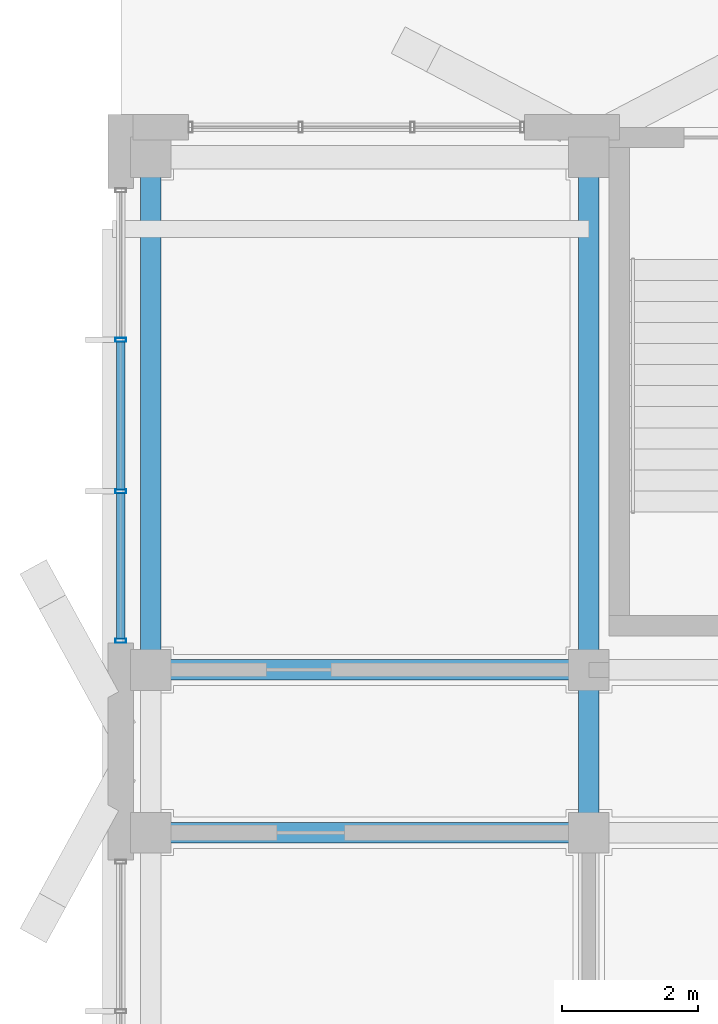
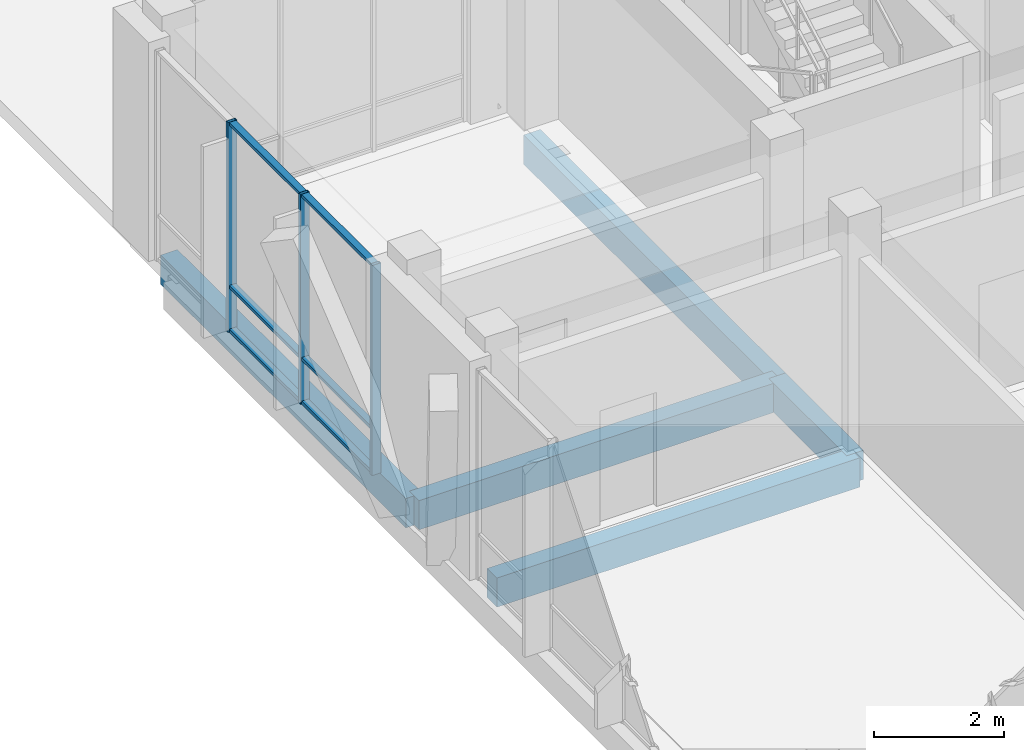
# One storey, part 22 of 233: 9 members, 5 beams, 1 element without a shape of its own.
"""IFC4 building model written with IfcOpenShell, lengths in metres."""

import ifcopenshell
import ifcopenshell.guid

model = None  # the IFC model being written
_history = None  # IfcOwnerHistory: only IFC2X3 demands one
_inside = {}  # id of a spatial element -> (the spatial element, [elements in it])
_under = {}  # id of a project, library or spatial element -> (it, [spatial elements below it])
_declared = {}  # id of a project -> (the project, [libraries it declares])
_typed = {}  # id of a type object -> (the type object, [elements of that type])
_made_of = {}  # id of a material, layer set ... -> (it, [elements and type objects made of it])


def new_model(schema):
    """Start an empty IFC model of exactly this schema.

    Asked for "IFC4X3", IfcOpenShell would pick the latest addendum, in which some entities
    have other attributes; the version numbers below select the first issue.
    IFC2X3 requires an IfcOwnerHistory on every rooted entity: one is made here for all.
    """
    global model, _history
    if schema == "IFC4X3":
        model = ifcopenshell.file(schema_version=(4, 3, 0, 0))
    else:
        model = ifcopenshell.file(schema=schema)
    _inside.clear()
    _under.clear()
    _declared.clear()
    _typed.clear()
    _made_of.clear()
    _history = None
    if model.schema == "IFC2X3":
        org = make("IfcOrganization", Name="unknown")
        user = make(
            "IfcPersonAndOrganization",
            ThePerson=make("IfcPerson", FamilyName="unknown"),
            TheOrganization=org,
        )
        app = make(
            "IfcApplication",
            ApplicationDeveloper=org,
            Version="unknown",
            ApplicationFullName="unknown",
            ApplicationIdentifier="unknown",
        )
        _history = make(
            "IfcOwnerHistory",
            OwningUser=user,
            OwningApplication=app,
            ChangeAction="ADDED",
            CreationDate=0,
        )
    return model


def make(cls, **values):
    """One entity of the class cls with the attributes given. An attribute that is None is left unset."""
    return model.create_entity(
        cls, **{name: value for name, value in values.items() if value is not None}
    )


def rooted(cls, **values):
    """An entity with a GlobalId (a new one), such as an element, a storey or a relation."""
    return make(cls, GlobalId=ifcopenshell.guid.new(), OwnerHistory=_history, **values)


def si_unit(unit_type, name, prefix=None):
    """IfcSIUnit, for example si_unit("LENGTHUNIT", "METRE", prefix="MILLI")."""
    return make("IfcSIUnit", UnitType=unit_type, Prefix=prefix, Name=name)


def assignment(units):
    """IfcUnitAssignment: the units of a project."""
    return None if units is None else make("IfcUnitAssignment", Units=units)


def point(xyz):
    """IfcCartesianPoint."""
    return None if xyz is None else make("IfcCartesianPoint", Coordinates=xyz)


def direction(xyz):
    """IfcDirection."""
    return None if xyz is None else make("IfcDirection", DirectionRatios=xyz)


def frame(location, z_axis=None, x_axis=None):
    """IfcAxis2Placement3D, a coordinate frame: its origin and axes. An axis left out is left unset."""
    return make(
        "IfcAxis2Placement3D",
        Location=point(location),
        Axis=direction(z_axis),
        RefDirection=direction(x_axis),
    )


def frame_2d(location, x_axis=None):
    """IfcAxis2Placement2D, a coordinate frame in the plane: its origin and x axis."""
    return make(
        "IfcAxis2Placement2D", Location=point(location), RefDirection=direction(x_axis)
    )


def origin():
    """The frame at (0, 0, 0) with its axes left unset."""
    return frame((0.0, 0.0, 0.0))


def origin_2d():
    """The frame at (0, 0) in the plane with its x axis left unset."""
    return frame_2d((0.0, 0.0))


def place(relative_to, where):
    """IfcLocalPlacement: puts the frame where relative to a parent placement (None: the world)."""
    return make(
        "IfcLocalPlacement", PlacementRelTo=relative_to, RelativePlacement=where
    )


def context(
    kind, dimensions, precision=None, world=None, true_north=None, identifier=None
):
    """IfcGeometricRepresentationContext, for example the 3D "Model" context."""
    return make(
        "IfcGeometricRepresentationContext",
        ContextIdentifier=identifier,
        ContextType=kind,
        CoordinateSpaceDimension=dimensions,
        Precision=precision,
        WorldCoordinateSystem=world,
        TrueNorth=true_north,
    )


def subcontext(parent, identifier, kind, view, scale=None):
    """IfcGeometricRepresentationSubContext, for example "Body" below "Model"."""
    return make(
        "IfcGeometricRepresentationSubContext",
        ContextIdentifier=identifier,
        ContextType=kind,
        ParentContext=parent,
        TargetScale=scale,
        TargetView=view,
    )


def project(units=None, contexts=None):
    """IfcProject with its units and contexts."""
    return rooted(
        "IfcProject",
        Name="project",
        RepresentationContexts=contexts,
        UnitsInContext=assignment(units),
    )


def spatial(cls, under=None, at=None, **own):
    """A site, building, storey or space (cls), placed at a placement, below another one or the project."""
    s = rooted(cls, ObjectPlacement=at, **own)
    if under is not None:
        _under.setdefault(under.id(), (under, []))[1].append(s)
    return s


def profile(cls, at=None, kind="AREA", **sizes):
    """A parametric profile (cls). Its sizes go by their IFC names, for example OverallWidth=200.0."""
    return make(cls, ProfileType=kind, Position=at, **sizes)


def rectangle(**sizes):
    """IfcRectangleProfileDef."""
    return profile("IfcRectangleProfileDef", **sizes)


def hollow_rectangle(**sizes):
    """IfcRectangleHollowProfileDef."""
    return profile("IfcRectangleHollowProfileDef", **sizes)


def extrude(swept, where, along, depth):
    """IfcExtrudedAreaSolid: the profile swept, set in the frame where, extruded along a direction by depth."""
    return make(
        "IfcExtrudedAreaSolid",
        SweptArea=swept,
        Position=where,
        ExtrudedDirection=direction(along),
        Depth=depth,
    )


def shape(context_of_items, identifier, shape_type, items):
    """IfcShapeRepresentation: the items that make up one representation, for example the "Body"."""
    return make(
        "IfcShapeRepresentation",
        ContextOfItems=context_of_items,
        RepresentationIdentifier=identifier,
        RepresentationType=shape_type,
        Items=items,
    )


def material(Name=None, Category=None):
    """IfcMaterial."""
    return make("IfcMaterial", Name=Name, Category=Category)


def material_profile(
    of_material, cross_section, Name=None, Category=None, Priority=None
):
    """IfcMaterialProfile: a cross section and its material."""
    return make(
        "IfcMaterialProfile",
        Name=Name,
        Material=of_material,
        Profile=cross_section,
        Priority=Priority,
        Category=Category,
    )


def profile_set(profiles, Name=None, composite=None):
    """IfcMaterialProfileSet."""
    return make(
        "IfcMaterialProfileSet",
        Name=Name,
        MaterialProfiles=profiles,
        CompositeProfile=composite,
    )


def made_of(thing, what):
    """Note that an element or type object is made of a material, layer set ...; save() writes the relation."""
    if what is not None:
        _made_of.setdefault(what.id(), (what, []))[1].append(thing)
    return thing


def type_object(cls, material=None, **own):
    """A type object (cls), such as IfcWallType, which elements share."""
    return made_of(rooted(cls, **own), material)


def element(
    cls,
    number,
    at=None,
    inside=None,
    cuts=None,
    type_object=None,
    material=None,
    context=None,
    identifier="Body",
    shape_type=None,
    held_by="IfcProductDefinitionShape",
    body=None,
    shapes=None,
    **own,
):
    """One element of the class cls, such as IfcWall. Its Tag is "e" and its number.

    at: its placement. inside: the storey or other place that contains it. cuts: it is an
    opening in that element (IfcRelVoidsElement). A single representation is given by context,
    identifier, shape_type and body (its items); several are given by shapes. held_by: the class
    of the entity that holds the representations. save() writes the other relations.
    """
    e = rooted(cls, Tag="e%d" % number, ObjectPlacement=at, **own)
    if body is not None:
        shapes = [shape(context, identifier, shape_type, body)]
    if shapes is not None:
        e.Representation = make(held_by, Representations=shapes)
    if inside is not None:
        _inside.setdefault(inside.id(), (inside, []))[1].append(e)
    if cuts is not None:
        rooted(
            "IfcRelVoidsElement", RelatingBuildingElement=cuts, RelatedOpeningElement=e
        )
    if type_object is not None:
        _typed.setdefault(type_object.id(), (type_object, []))[1].append(e)
    return made_of(e, material)


def aggregate(whole, parts):
    """IfcRelAggregates: a whole, such as a stair, and the parts it consists of."""
    return rooted("IfcRelAggregates", RelatingObject=whole, RelatedObjects=parts)


def save(model, path):
    """Write the relations noted so far, then the file.

    IfcRelAggregates (storeys below a building ...), IfcRelContainedInSpatialStructure (elements
    in a storey), IfcRelDefinesByType, IfcRelAssociatesMaterial and IfcRelDeclares: one each for
    every whole, place, type object, material and project.
    """
    for whole, parts in _under.values():
        aggregate(whole, parts)
    for where, things in _inside.values():
        rooted(
            "IfcRelContainedInSpatialStructure",
            RelatedElements=things,
            RelatingStructure=where,
        )
    for kind, things in _typed.values():
        rooted("IfcRelDefinesByType", RelatedObjects=things, RelatingType=kind)
    for what, things in _made_of.values():
        rooted("IfcRelAssociatesMaterial", RelatedObjects=things, RelatingMaterial=what)
    for by, libraries in _declared.values():
        rooted("IfcRelDeclares", RelatingContext=by, RelatedDefinitions=libraries)
    model.write(path)


model = new_model("IFC4")

# Units and contexts
model_context = context("Model", 3, precision=1e-05, world=origin(), true_north=direction((0.0, 1.0)))
body_context = subcontext(model_context, "Body", "Model", "MODEL_VIEW")
ifc_project = project(units=[si_unit("LENGTHUNIT", "METRE"), si_unit("AREAUNIT", "SQUARE_METRE"), si_unit("VOLUMEUNIT", "CUBIC_METRE"), si_unit("PLANEANGLEUNIT", "RADIAN"), si_unit("MASSUNIT", "GRAM", prefix="KILO")], contexts=[model_context])

# Site, building, storey
site_placement = place(None, origin())
site = spatial("IfcSite", under=ifc_project, at=site_placement, CompositionType="ELEMENT")
building_placement = place(site_placement, origin())
building = spatial("IfcBuilding", under=site, at=building_placement, Name="Zavelmont Quarter", CompositionType="ELEMENT")
storey_placement = place(building_placement, origin())
storey = spatial("IfcBuildingStorey", under=building, at=storey_placement, Name="L00", CompositionType="ELEMENT", Elevation=0.0)

# Beams
ifc_material_1 = material(Name="Concrete C35/45", Category="concrete")
ifc_material_profile_1 = material_profile(ifc_material_1, rectangle(XDim=0.300048828125, YDim=0.550048828125, at=origin_2d()), Name="RC300X550")
ifc_profile_set_1 = profile_set([ifc_material_profile_1], Name="Concrete C35/45")
beam_type = type_object("IfcBeamType", Name="BM02", PredefinedType="SPANDREL", material=ifc_profile_set_1)
for number, where, z_axis, x_axis, name in (
    (1, (0.43994140625, 8.0, -0.594970703125), (1.0, 0.0, 0.0), (0.0, 1.0, 0.0), "L00 beam BM02 1/B to 2/B"),
    (2, (0.43994140625, 10.39990234375, -0.594970703125), (1.0, 0.0, 0.0), (0.0, 1.0, 0.0), "L00 beam BM02 1/C to 2/C"),
):
    element("IfcBeam", number, at=place(storey_placement, frame(where, z_axis=z_axis, x_axis=x_axis)), inside=storey, type_object=beam_type, Name=name, PredefinedType="SPANDREL", context=body_context, shape_type="SweptSolid", body=[
        extrude(rectangle(XDim=0.300048828125, YDim=0.550048828125, at=origin_2d()), origin(), (0.0, 0.0, 1.0), 6.4599609375),
    ])
beam_1_placement = place(storey_placement, frame((0.43994140625, 10.39990234375, -0.594970703125), z_axis=(0.0, 1.0, 0.0), x_axis=(-1.0, 0.0, 0.0)))
element("IfcBeam", 3, at=beam_1_placement, inside=storey, type_object=beam_type, Name="L00 beam BM02 1/C to 1/D", PredefinedType="SPANDREL", context=body_context, shape_type="SweptSolid", body=[
    extrude(rectangle(XDim=0.300048828125, YDim=0.550048828125, at=origin_2d()), origin(), (0.0, 0.0, 1.0), 7.56005859375),
])
beam_2_placement = place(storey_placement, frame((6.89990234375, 8.0, -0.594970703125), z_axis=(0.0, 1.0, 0.0), x_axis=(-1.0, 0.0, 0.0)))
element("IfcBeam", 4, at=beam_2_placement, inside=storey, type_object=beam_type, Name="L00 beam BM02 2/B to 2/C", PredefinedType="SPANDREL", context=body_context, shape_type="SweptSolid", body=[
    extrude(rectangle(XDim=0.300048828125, YDim=0.550048828125, at=origin_2d()), origin(), (0.0, 0.0, 1.0), 2.39990234375),
])
beam_3_placement = place(storey_placement, frame((6.89990234375, 10.39990234375, -0.594970703125), z_axis=(0.0, 1.0, 0.0), x_axis=(-1.0, 0.0, 0.0)))
element("IfcBeam", 5, at=beam_3_placement, inside=storey, type_object=beam_type, Name="L00 beam BM02 2/C to 2/D", PredefinedType="SPANDREL", context=body_context, shape_type="SweptSolid", body=[
    extrude(rectangle(XDim=0.300048828125, YDim=0.550048828125, at=origin_2d()), origin(), (0.0, 0.0, 1.0), 7.56005859375),
])

# Curtain wall, members
ifc_material_2 = material(Name="Thermally broken aluminium and double low-E safety glazing", Category="aluminium")
curtain_wall_type = type_object("IfcCurtainWallType", Name="CW-670X395", PredefinedType="NOTDEFINED", material=ifc_material_2)
curtain_wall_placement = place(storey_placement, origin())
curtain_wall = element("IfcCurtainWall", 6, at=curtain_wall_placement, inside=storey, type_object=curtain_wall_type, Name="L00 unitised curtain wall CW-670X395", PredefinedType="NOTDEFINED")
ifc_material_3 = material(Name="Powder-coated aluminium EN AW-6063-T6", Category="aluminium")
ifc_material_profile_2 = material_profile(ifc_material_3, hollow_rectangle(XDim=0.06005859375, YDim=0.159912109375, WallThickness=0.00390625, at=origin_2d()), Name="CWM60X160")
ifc_profile_set_2 = profile_set([ifc_material_profile_2], Name="Powder-coated aluminium EN AW-6063-T6")
member_type_1 = type_object("IfcMemberType", Name="CWM01", PredefinedType="MULLION", material=ifc_profile_set_2)
member_1_placement = place(storey_placement, frame((0.0, 10.830078125, 0.0), z_axis=(0.0, 0.0, 1.0), x_axis=(0.0, 1.0, 0.0)))
member_1 = element("IfcMember", 7, at=member_1_placement, type_object=member_type_1, Name="CW-670X395 mullion 1", PredefinedType="MULLION", context=body_context, shape_type="SweptSolid", body=[
    extrude(hollow_rectangle(XDim=0.06005859375, YDim=0.159912109375, WallThickness=0.00390625, at=origin_2d()), origin(), (0.0, 0.0, 1.0), 3.949951171875),
])
member_2_placement = place(storey_placement, frame((0.0, 13.033447265625, 0.0), z_axis=(0.0, 0.0, 1.0), x_axis=(0.0, 1.0, 0.0)))
member_2 = element("IfcMember", 8, at=member_2_placement, type_object=member_type_1, Name="CW-670X395 mullion 2", PredefinedType="MULLION", context=body_context, shape_type="SweptSolid", body=[
    extrude(hollow_rectangle(XDim=0.06005859375, YDim=0.159912109375, WallThickness=0.00390625, at=origin_2d()), origin(), (0.0, 0.0, 1.0), 3.949951171875),
])
member_3_placement = place(storey_placement, frame((0.0, 15.2666015625, 0.0), z_axis=(0.0, 0.0, 1.0), x_axis=(0.0, 1.0, 0.0)))
member_3 = element("IfcMember", 9, at=member_3_placement, type_object=member_type_1, Name="CW-670X395 mullion 3", PredefinedType="MULLION", context=body_context, shape_type="SweptSolid", body=[
    extrude(hollow_rectangle(XDim=0.06005859375, YDim=0.159912109375, WallThickness=0.00390625, at=origin_2d()), origin(), (0.0, 0.0, 1.0), 3.949951171875),
])
ifc_material_profile_3 = material_profile(ifc_material_3, hollow_rectangle(XDim=0.1201171875, YDim=0.06005859375, WallThickness=0.00390625, at=origin_2d()), Name="CWT60X120")
ifc_profile_set_3 = profile_set([ifc_material_profile_3], Name="Powder-coated aluminium EN AW-6063-T6")
member_type_2 = type_object("IfcMemberType", Name="CWT01", PredefinedType="NOTDEFINED", material=ifc_profile_set_3)
member_4_placement = place(storey_placement, frame((0.0, 10.860107421875, 0.030029296875), z_axis=(0.0, 1.0, 0.0), x_axis=(-1.0, 0.0, 0.0)))
member_4 = element("IfcMember", 10, at=member_4_placement, type_object=member_type_2, Name="CW-670X395 transom 1.1", ObjectType="TRANSOM", PredefinedType="USERDEFINED", context=body_context, shape_type="SweptSolid", body=[
    extrude(hollow_rectangle(XDim=0.1201171875, YDim=0.06005859375, WallThickness=0.00390625, at=origin_2d()), origin(), (0.0, 0.0, 1.0), 2.143310546875),
])
member_5_placement = place(storey_placement, frame((0.0, 10.860107421875, 0.85009765625), z_axis=(0.0, 1.0, 0.0), x_axis=(-1.0, 0.0, 0.0)))
member_5 = element("IfcMember", 11, at=member_5_placement, type_object=member_type_2, Name="CW-670X395 transom 1.2", ObjectType="TRANSOM", PredefinedType="USERDEFINED", context=body_context, shape_type="SweptSolid", body=[
    extrude(hollow_rectangle(XDim=0.1201171875, YDim=0.06005859375, WallThickness=0.00390625, at=origin_2d()), origin(), (0.0, 0.0, 1.0), 2.143310546875),
])
member_6_placement = place(storey_placement, frame((0.0, 10.860107421875, 3.919921875), z_axis=(0.0, 1.0, 0.0), x_axis=(-1.0, 0.0, 0.0)))
member_6 = element("IfcMember", 12, at=member_6_placement, type_object=member_type_2, Name="CW-670X395 transom 1.3", ObjectType="TRANSOM", PredefinedType="USERDEFINED", context=body_context, shape_type="SweptSolid", body=[
    extrude(hollow_rectangle(XDim=0.1201171875, YDim=0.06005859375, WallThickness=0.00390625, at=origin_2d()), origin(), (0.0, 0.0, 1.0), 2.143310546875),
])
member_7_placement = place(storey_placement, frame((0.0, 13.063232421875, 0.030029296875), z_axis=(0.0, 1.0, 0.0), x_axis=(-1.0, 0.0, 0.0)))
member_7 = element("IfcMember", 13, at=member_7_placement, type_object=member_type_2, Name="CW-670X395 transom 2.1", ObjectType="TRANSOM", PredefinedType="USERDEFINED", context=body_context, shape_type="SweptSolid", body=[
    extrude(hollow_rectangle(XDim=0.1201171875, YDim=0.06005859375, WallThickness=0.00390625, at=origin_2d()), origin(), (0.0, 0.0, 1.0), 2.17333984375),
])
member_8_placement = place(storey_placement, frame((0.0, 13.063232421875, 0.85009765625), z_axis=(0.0, 1.0, 0.0), x_axis=(-1.0, 0.0, 0.0)))
member_8 = element("IfcMember", 14, at=member_8_placement, type_object=member_type_2, Name="CW-670X395 transom 2.2", ObjectType="TRANSOM", PredefinedType="USERDEFINED", context=body_context, shape_type="SweptSolid", body=[
    extrude(hollow_rectangle(XDim=0.1201171875, YDim=0.06005859375, WallThickness=0.00390625, at=origin_2d()), origin(), (0.0, 0.0, 1.0), 2.17333984375),
])
member_9_placement = place(storey_placement, frame((0.0, 13.063232421875, 3.919921875), z_axis=(0.0, 1.0, 0.0), x_axis=(-1.0, 0.0, 0.0)))
member_9 = element("IfcMember", 15, at=member_9_placement, type_object=member_type_2, Name="CW-670X395 transom 2.3", ObjectType="TRANSOM", PredefinedType="USERDEFINED", context=body_context, shape_type="SweptSolid", body=[
    extrude(hollow_rectangle(XDim=0.1201171875, YDim=0.06005859375, WallThickness=0.00390625, at=origin_2d()), origin(), (0.0, 0.0, 1.0), 2.17333984375),
])
aggregate(curtain_wall, [member_1, member_2, member_3, member_4, member_5, member_6, member_7, member_8, member_9])

save(model, "model.ifc")
